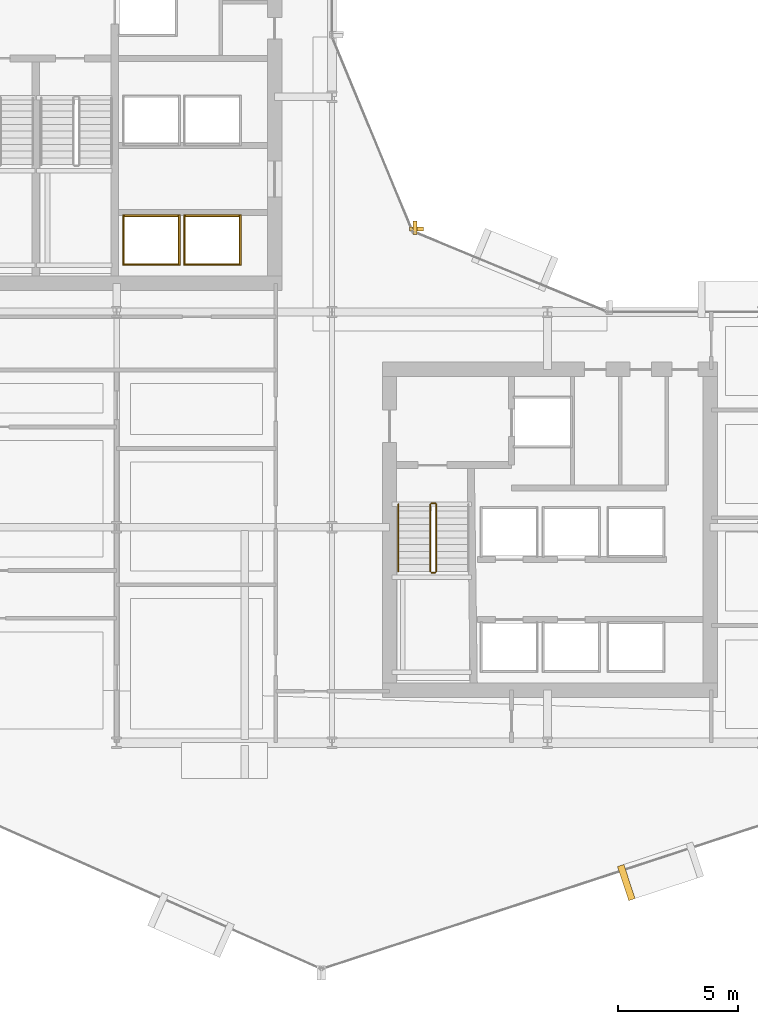
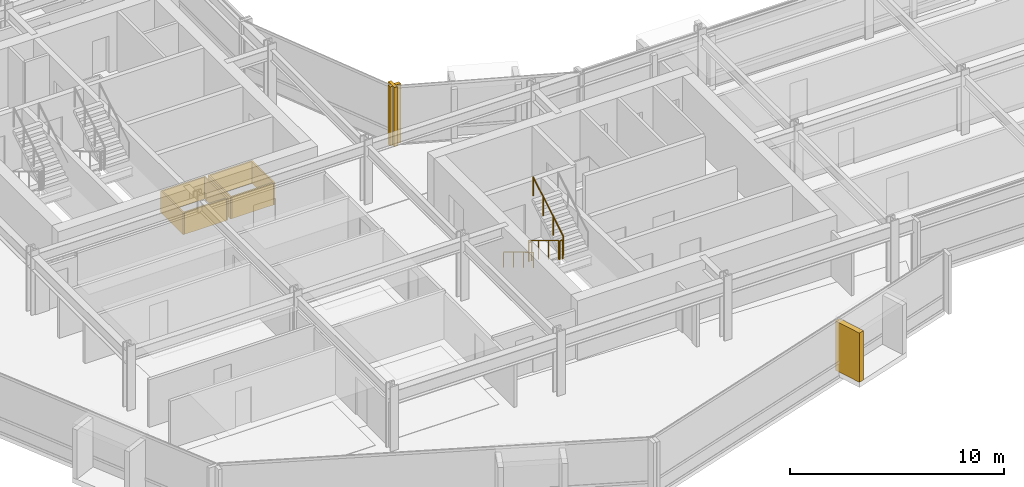
# One storey, part 32 of 35: 11 coverings, 5 railings.
"""IFC4 building model written with IfcOpenShell, lengths in metres."""

from ifc_helpers import new_model, si_unit, direction, frame, origin, origin_2d, place, context, subcontext, project, spatial, rectangle, circle, extrude, material, layer, layer_set, type_object, element, save


model = new_model("IFC4")

# Units and contexts
model_context = context("Model", 3, precision=1e-05, world=origin(), true_north=direction((0.0, 1.0)))
body_context = subcontext(model_context, "Body", "Model", "MODEL_VIEW")
ifc_project = project(units=[si_unit("LENGTHUNIT", "METRE"), si_unit("AREAUNIT", "SQUARE_METRE"), si_unit("VOLUMEUNIT", "CUBIC_METRE"), si_unit("PLANEANGLEUNIT", "RADIAN"), si_unit("MASSUNIT", "GRAM", prefix="KILO")], contexts=[model_context])

# Site, building, storey
site_placement = place(None, origin())
site = spatial("IfcSite", under=ifc_project, at=site_placement, CompositionType="ELEMENT")
building_placement = place(site_placement, origin())
building = spatial("IfcBuilding", under=site, at=building_placement, Name="Solvaryn Broadcast Tower", CompositionType="ELEMENT")
storey_placement = place(building_placement, frame((0.0, 0.0, 80.39990234375)))
storey = spatial("IfcBuildingStorey", under=building, at=storey_placement, Name="L19", CompositionType="ELEMENT", Elevation=80.39990234375)

# Coverings
ifc_material_1 = material(Name="Fire-Rated Gypsum Shaftwall Liner", Category="concrete")
ifc_layer_1 = layer(ifc_material_1, 0.080078125)
ifc_layer_set_1 = layer_set([ifc_layer_1], Name="CV-SHAFT-LINER")
covering_type_1 = type_object("IfcCoveringType", Name="CV-SHAFT-LINER", PredefinedType="CLADDING", material=ifc_layer_set_1)
for number, where, z_axis, x_axis, name in (
    (1, (19.449951171875, 31.014892578125, 0.0), (0.0, 0.0, 1.0), (1.0, 0.0, 0.0), "L19 PH1 Hoistway Shaft Liner North"),
    (2, (19.449951171875, 28.985107421875, 0.0), (0.0, 0.0, 1.0), (1.0, 0.0, 0.0), "L19 PH1 Hoistway Shaft Liner South"),
):
    element("IfcCovering", number, at=place(storey_placement, frame(where, z_axis=z_axis, x_axis=x_axis)), inside=storey, type_object=covering_type_1, Name=name, PredefinedType="CLADDING", context=body_context, shape_type="SweptSolid", body=[
        extrude(rectangle(XDim=2.409912109375, YDim=0.080078125, at=origin_2d()), origin(), (0.0, 0.0, 1.0), 1.25),
    ])
for number, where, z_axis, x_axis, name in (
    (3, (20.614990234375, 30.0, 0.0), (0.0, 0.0, 1.0), (1.0, 0.0, 0.0), "L19 PH1 Hoistway Shaft Liner East"),
    (4, (18.284912109375, 30.0, 0.0), (0.0, 0.0, 1.0), (1.0, 0.0, 0.0), "L19 PH1 Hoistway Shaft Liner West"),
):
    element("IfcCovering", number, at=place(storey_placement, frame(where, z_axis=z_axis, x_axis=x_axis)), inside=storey, type_object=covering_type_1, Name=name, PredefinedType="CLADDING", context=body_context, shape_type="SweptSolid", body=[
        extrude(rectangle(XDim=0.080078125, YDim=2.110107421875, at=origin_2d()), origin(), (0.0, 0.0, 1.0), 1.25),
    ])
for number, where, z_axis, x_axis, name in (
    (5, (22.0, 31.014892578125, 0.0), (0.0, 0.0, 1.0), (1.0, 0.0, 0.0), "L19 PH2 Hoistway Shaft Liner North"),
    (6, (22.0, 28.985107421875, 0.0), (0.0, 0.0, 1.0), (1.0, 0.0, 0.0), "L19 PH2 Hoistway Shaft Liner South"),
):
    element("IfcCovering", number, at=place(storey_placement, frame(where, z_axis=z_axis, x_axis=x_axis)), inside=storey, type_object=covering_type_1, Name=name, PredefinedType="CLADDING", context=body_context, shape_type="SweptSolid", body=[
        extrude(rectangle(XDim=2.409912109375, YDim=0.080078125, at=origin_2d()), origin(), (0.0, 0.0, 1.0), 1.25),
    ])
for number, where, z_axis, x_axis, name in (
    (7, (23.1650390625, 30.0, 0.0), (0.0, 0.0, 1.0), (1.0, 0.0, 0.0), "L19 PH2 Hoistway Shaft Liner East"),
    (8, (20.8349609375, 30.0, 0.0), (0.0, 0.0, 1.0), (1.0, 0.0, 0.0), "L19 PH2 Hoistway Shaft Liner West"),
):
    element("IfcCovering", number, at=place(storey_placement, frame(where, z_axis=z_axis, x_axis=x_axis)), inside=storey, type_object=covering_type_1, Name=name, PredefinedType="CLADDING", context=body_context, shape_type="SweptSolid", body=[
        extrude(rectangle(XDim=0.080078125, YDim=2.110107421875, at=origin_2d()), origin(), (0.0, 0.0, 1.0), 1.25),
    ])
ifc_material_2 = material(Name="Glazed Architectural Terracotta Rainscreen Cladding", Category="masonry")
ifc_layer_2 = layer(ifc_material_2, 0.280029296875)
ifc_layer_set_2 = layer_set([ifc_layer_2], Name="CV-TC-CLAD")
covering_type_2 = type_object("IfcCoveringType", Name="CV-TC-CLAD", PredefinedType="CLADDING", material=ifc_layer_set_2)
covering_1_placement = place(storey_placement, frame((39.298095703125, 3.155517578125, 0.280029296875), z_axis=(0.0, 0.0, 1.0), x_axis=(0.950189870912, 0.311671636848, 0.0)))
element("IfcCovering", 9, at=covering_1_placement, inside=storey, type_object=covering_type_2, Name="L19 Projecting Stone Window Box Cheek 4-1", PredefinedType="CLADDING", context=body_context, shape_type="SweptSolid", body=[
    extrude(rectangle(XDim=0.280029296875, YDim=1.5, at=origin_2d()), origin(), (0.0, 0.0, 1.0), 2.81005859375),
])
ifc_material_3 = material(Name="Extruded Architectural Terracotta Fin", Category="masonry")
ifc_layer_3 = layer(ifc_material_3, 0.179931640625)
ifc_layer_set_3 = layer_set([ifc_layer_3], Name="CV-TC-FIN")
covering_type_3 = type_object("IfcCoveringType", Name="CV-TC-FIN", PredefinedType="USERDEFINED", material=ifc_layer_set_3)
covering_2_placement = place(storey_placement, frame((30.464599609375, 30.52294921875, 0.0), z_axis=(0.0, 0.0, 1.0), x_axis=(1.0, 0.0, 0.0)))
element("IfcCovering", 10, at=covering_2_placement, inside=storey, type_object=covering_type_3, Name="L19 Terracotta Vertical Fin FIN-L19-CN1-M01", ObjectType="FIN", PredefinedType="USERDEFINED", context=body_context, shape_type="SweptSolid", body=[
    extrude(rectangle(XDim=0.179931640625, YDim=0.580078125, at=origin_2d()), origin(), (0.0, 0.0, 1.0), 3.3701171875),
])
covering_3_placement = place(storey_placement, frame((30.52294921875, 30.464599609375, 0.0), z_axis=(0.0, 0.0, 1.0), x_axis=(1.0, 0.0, 0.0)))
element("IfcCovering", 11, at=covering_3_placement, inside=storey, type_object=covering_type_3, Name="L19 Terracotta Vertical Fin FIN-L19-CN2-M00", ObjectType="FIN", PredefinedType="USERDEFINED", context=body_context, shape_type="SweptSolid", body=[
    extrude(rectangle(XDim=0.580078125, YDim=0.179931640625, at=origin_2d()), origin(), (0.0, 0.0, 1.0), 3.3701171875),
])

# Railings
ifc_material_4 = material(Name="Painted Steel Stair Well Guard", Category="steel")
railing_type_1 = type_object("IfcRailingType", Name="RL-STAIR-GUARD", PredefinedType="BALUSTRADE", material=ifc_material_4)
railing_1_placement = place(storey_placement, frame((31.110107421875, 18.9599609375, 0.168212890625)))
element("IfcRailing", 12, at=railing_1_placement, inside=storey, type_object=railing_type_1, Name="L19 ST3 stair guard 1", PredefinedType="BALUSTRADE", context=body_context, shape_type="SweptSolid", body=[
    extrude(circle(Radius=0.02392578125, at=origin_2d()), frame((0.0, 0.0, 1.076171875), z_axis=(0.0, -0.857242210791, 0.514913383045), x_axis=(1.0, 0.0, 0.0)), (0.0, 0.0, 1.0), 3.266357421875),
    extrude(circle(Radius=0.02099609375, at=origin_2d()), origin(), (0.0, 0.0, 1.0), 1.052001953125),
    extrude(circle(Radius=0.02099609375, at=origin_2d()), frame((0.0, -0.933349609375, 0.560546875)), (0.0, 0.0, 1.0), 1.052001953125),
    extrude(circle(Radius=0.02099609375, at=origin_2d()), frame((0.0, -1.86669921875, 1.121337890625)), (0.0, 0.0, 1.0), 1.052001953125),
    extrude(circle(Radius=0.02099609375, at=origin_2d()), frame((0.0, -2.800048828125, 1.681884765625)), (0.0, 0.0, 1.0), 1.052001953125),
])
railing_2_placement = place(storey_placement, frame((31.159912109375, 16.110107421875, 1.85009765625)))
element("IfcRailing", 13, at=railing_2_placement, inside=storey, type_object=railing_type_1, Name="L19 ST3 stair guard 2", PredefinedType="BALUSTRADE", context=body_context, shape_type="SweptSolid", body=[
    extrude(circle(Radius=0.02392578125, at=origin_2d()), frame((0.0, 0.0, 1.076171875), z_axis=(1.0, 0.0, 0.0), x_axis=(0.0, 1.0, 0.0)), (0.0, 0.0, 1.0), 0.150146484375),
    extrude(circle(Radius=0.02099609375, at=origin_2d()), origin(), (0.0, 0.0, 1.0), 1.052001953125),
    extrude(circle(Radius=0.02099609375, at=origin_2d()), frame((0.150146484375, 0.0, 0.0)), (0.0, 0.0, 1.0), 1.052001953125),
])
railing_3_placement = place(storey_placement, frame((31.360107421875, 16.159912109375, 2.018310546875)))
element("IfcRailing", 14, at=railing_3_placement, inside=storey, type_object=railing_type_1, Name="L19 ST3 stair guard 3", PredefinedType="BALUSTRADE", context=body_context, shape_type="SweptSolid", body=[
    extrude(circle(Radius=0.02392578125, at=origin_2d()), frame((0.0, 0.0, 1.076171875), z_axis=(0.0, 0.857242210791, 0.514913383045), x_axis=(-1.0, 0.0, 0.0)), (0.0, 0.0, 1.0), 3.266357421875),
    extrude(circle(Radius=0.02099609375, at=origin_2d()), origin(), (0.0, 0.0, 1.0), 1.052001953125),
    extrude(circle(Radius=0.02099609375, at=origin_2d()), frame((0.0, 0.933349609375, 0.560546875)), (0.0, 0.0, 1.0), 1.052001953125),
    extrude(circle(Radius=0.02099609375, at=origin_2d()), frame((0.0, 1.86669921875, 1.121337890625)), (0.0, 0.0, 1.0), 1.052001953125),
    extrude(circle(Radius=0.02099609375, at=origin_2d()), frame((0.0, 2.800048828125, 1.681884765625)), (0.0, 0.0, 1.0), 1.052001953125),
])
railing_4_placement = place(storey_placement, frame((31.159912109375, 19.010009765625, 0.0)))
element("IfcRailing", 15, at=railing_4_placement, inside=storey, type_object=railing_type_1, Name="L19 ST3 stair guard 4", PredefinedType="BALUSTRADE", context=body_context, shape_type="SweptSolid", body=[
    extrude(circle(Radius=0.02392578125, at=origin_2d()), frame((0.0, 0.0, 1.076171875), z_axis=(1.0, 0.0, 0.0), x_axis=(0.0, 1.0, 0.0)), (0.0, 0.0, 1.0), 0.150146484375),
    extrude(circle(Radius=0.02099609375, at=origin_2d()), origin(), (0.0, 0.0, 1.0), 1.052001953125),
    extrude(circle(Radius=0.02099609375, at=origin_2d()), frame((0.150146484375, 0.0, 0.0)), (0.0, 0.0, 1.0), 1.052001953125),
])
ifc_material_5 = material(Name="Brushed Stainless Steel Tubular Handrail", Category="steel")
railing_type_2 = type_object("IfcRailingType", Name="RL-STAIR-HANDRAIL", PredefinedType="HANDRAIL", material=ifc_material_5)
railing_5_placement = place(storey_placement, frame((29.77001953125, 18.9599609375, 0.168212890625)))
element("IfcRailing", 16, at=railing_5_placement, inside=storey, type_object=railing_type_2, Name="L19 ST3 stair handrail 1", PredefinedType="HANDRAIL", context=body_context, shape_type="SweptSolid", body=[
    extrude(circle(Radius=0.02392578125, at=origin_2d()), frame((0.0, 0.0, 0.8759765625), z_axis=(0.0, -0.857242210791, 0.514913383045), x_axis=(1.0, 0.0, 0.0)), (0.0, 0.0, 1.0), 3.266357421875),
    extrude(circle(Radius=0.02099609375, at=origin_2d()), origin(), (0.0, 0.0, 1.0), 0.851806640625),
    extrude(circle(Radius=0.02099609375, at=origin_2d()), frame((0.0, -0.933349609375, 0.560546875)), (0.0, 0.0, 1.0), 0.851806640625),
    extrude(circle(Radius=0.02099609375, at=origin_2d()), frame((0.0, -1.86669921875, 1.121337890625)), (0.0, 0.0, 1.0), 0.851806640625),
    extrude(circle(Radius=0.02099609375, at=origin_2d()), frame((0.0, -2.800048828125, 1.681884765625)), (0.0, 0.0, 1.0), 0.851806640625),
])

save(model, "model.ifc")
